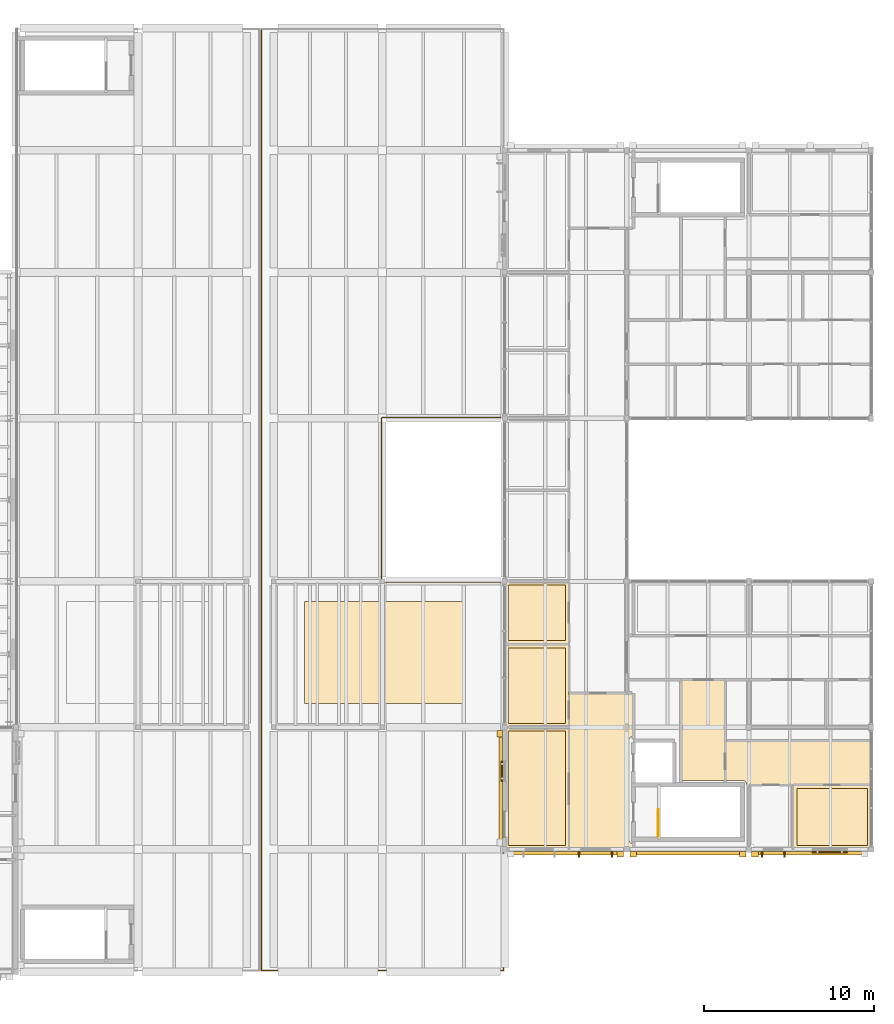
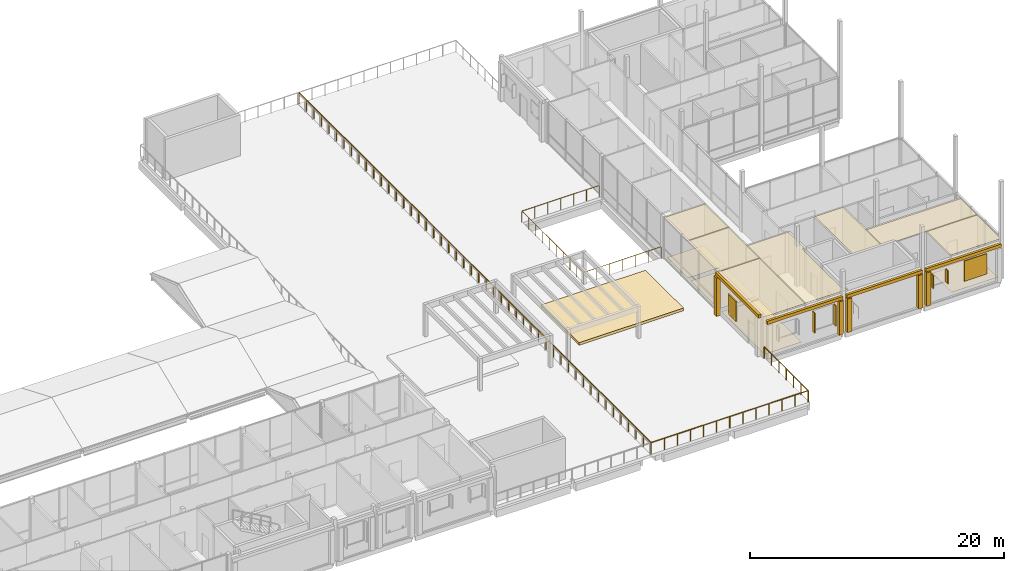
# One storey, part 114 of 115: 21 coverings, 6 shading devices, 3 railings.
"""IFC4 building model written with IfcOpenShell, lengths in metres."""

from ifc_helpers import new_model, si_unit, direction, frame, origin, origin_2d, place, context, subcontext, project, spatial, polyline, rectangle, circle, outline, extrude, material, layer, layer_set, type_object, element, save


model = new_model("IFC4")

# Units and contexts
model_context = context("Model", 3, precision=1e-05, world=origin(), true_north=direction((0.0, 1.0)))
body_context = subcontext(model_context, "Body", "Model", "MODEL_VIEW")
ifc_project = project(units=[si_unit("LENGTHUNIT", "METRE"), si_unit("AREAUNIT", "SQUARE_METRE"), si_unit("VOLUMEUNIT", "CUBIC_METRE"), si_unit("PLANEANGLEUNIT", "RADIAN"), si_unit("MASSUNIT", "GRAM", prefix="KILO")], contexts=[model_context])

# Site, building, storey
site_placement = place(None, origin())
site = spatial("IfcSite", under=ifc_project, at=site_placement, CompositionType="ELEMENT")
building_placement = place(site_placement, origin())
building = spatial("IfcBuilding", under=site, at=building_placement, Name="Hawrajan Terrace Health Centre", CompositionType="ELEMENT")
storey_placement = place(building_placement, frame((0.0, 0.0, 9.0)))
storey = spatial("IfcBuildingStorey", under=building, at=storey_placement, Name="L02", CompositionType="ELEMENT", Elevation=9.0)

# Coverings
ifc_material_1 = material(Name="Precast concrete C40/50", Category="concrete")
ifc_layer_1 = layer(ifc_material_1, 0.219970703125)
ifc_layer_set_1 = layer_set([ifc_layer_1], Name="Precast concrete C40/50")
covering_type_1 = type_object("IfcCoveringType", Name="ArtDecoCorniceBand", PredefinedType="CLADDING", material=ifc_layer_set_1)
covering_1_placement = place(storey_placement, frame((147.389892578125, 11.175048828125, 3.22998046875), z_axis=(0.0, 0.0, 1.0), x_axis=(1.0, 0.0, 0.0)))
element("IfcCovering", 1, at=covering_1_placement, inside=storey, type_object=covering_type_1, Name="Art Deco limestone cornice band CRN-L02-0146", PredefinedType="CLADDING", context=body_context, shape_type="SweptSolid", body=[
    extrude(rectangle(XDim=6.860107421875, YDim=0.219970703125, at=origin_2d()), origin(), (0.0, 0.0, 1.0), 0.300048828125),
])
covering_2_placement = place(storey_placement, frame((143.574951171875, 15.010009765625, 3.68994140625), z_axis=(0.0, 0.0, 1.0), x_axis=(0.0, 1.0, 0.0)))
element("IfcCovering", 2, at=covering_2_placement, inside=storey, type_object=covering_type_1, Name="Art Deco limestone cornice band CRN-L02-0147", PredefinedType="CLADDING", context=body_context, shape_type="SweptSolid", body=[
    extrude(rectangle(XDim=6.820068359375, YDim=0.219970703125, at=origin_2d()), origin(), (0.0, 0.0, 1.0), 0.300048828125),
])
for number, where, z_axis, x_axis, name in (
    (3, (154.610107421875, 11.175048828125, 3.22998046875), (0.0, 0.0, 1.0), (1.0, 0.0, 0.0), "Art Deco limestone cornice band CRN-L02-0150"),
    (4, (161.7900390625, 11.175048828125, 3.22998046875), (0.0, 0.0, 1.0), (1.0, 0.0, 0.0), "Art Deco limestone cornice band CRN-L02-0152"),
):
    element("IfcCovering", number, at=place(storey_placement, frame(where, z_axis=z_axis, x_axis=x_axis)), inside=storey, type_object=covering_type_1, Name=name, PredefinedType="CLADDING", context=body_context, shape_type="SweptSolid", body=[
        extrude(rectangle(XDim=6.860107421875, YDim=0.219970703125, at=origin_2d()), origin(), (0.0, 0.0, 1.0), 0.300048828125),
    ])
ifc_layer_2 = layer(ifc_material_1, 0.340087890625)
ifc_layer_set_2 = layer_set([ifc_layer_2], Name="Precast concrete C40/50")
covering_type_2 = type_object("IfcCoveringType", Name="ArtDecoStonePilaster", PredefinedType="CLADDING", material=ifc_layer_set_2)
covering_3_placement = place(storey_placement, frame((150.6201171875, 11.114990234375, 0.0), z_axis=(0.0, 0.0, 1.0), x_axis=(1.0, 0.0, 0.0)))
element("IfcCovering", 5, at=covering_3_placement, inside=storey, type_object=covering_type_2, Name="Art Deco fluted limestone pilaster FPIL-L02-0283", PredefinedType="CLADDING", context=body_context, shape_type="SweptSolid", body=[
    extrude(rectangle(XDim=0.39990234375, YDim=0.340087890625, at=origin_2d()), origin(), (0.0, 0.0, 1.0), 3.219970703125),
])
covering_4_placement = place(storey_placement, frame((143.514892578125, 18.219970703125, 0.0), z_axis=(0.0, 0.0, 1.0), x_axis=(0.0, 1.0, 0.0)))
element("IfcCovering", 6, at=covering_4_placement, inside=storey, type_object=covering_type_2, Name="Art Deco fluted limestone pilaster FPIL-L02-0285", PredefinedType="CLADDING", context=body_context, shape_type="SweptSolid", body=[
    extrude(rectangle(XDim=0.39990234375, YDim=0.340087890625, at=origin_2d()), origin(), (0.0, 0.0, 1.0), 3.679931640625),
])
for number, where, z_axis, x_axis, name in (
    (7, (151.3798828125, 11.114990234375, 0.0), (0.0, 0.0, 1.0), (1.0, 0.0, 0.0), "Art Deco fluted limestone pilaster FPIL-L02-0290"),
    (8, (157.840087890625, 11.114990234375, 0.0), (0.0, 0.0, 1.0), (1.0, 0.0, 0.0), "Art Deco fluted limestone pilaster FPIL-L02-0291"),
    (9, (158.56005859375, 11.114990234375, 0.0), (0.0, 0.0, 1.0), (1.0, 0.0, 0.0), "Art Deco fluted limestone pilaster FPIL-L02-0294"),
):
    element("IfcCovering", number, at=place(storey_placement, frame(where, z_axis=z_axis, x_axis=x_axis)), inside=storey, type_object=covering_type_2, Name=name, PredefinedType="CLADDING", context=body_context, shape_type="SweptSolid", body=[
        extrude(rectangle(XDim=0.39990234375, YDim=0.340087890625, at=origin_2d()), origin(), (0.0, 0.0, 1.0), 3.219970703125),
    ])
ifc_material_2 = material(Name="Hygienic mineral-fibre acoustic tile ceiling")
ifc_layer_3 = layer(ifc_material_2, 0.02490234375)
ifc_layer_set_3 = layer_set([ifc_layer_3], Name="Hygienic mineral-fibre acoustic tile ceiling")
covering_type_3 = type_object("IfcCoveringType", Name="ClinicalAcousticCeiling_25", PredefinedType="CEILING", material=ifc_layer_set_3)
covering_5_placement = place(storey_placement, frame((0.0, 0.0, 3.7548828125)))
element("IfcCovering", 10, at=covering_5_placement, inside=storey, type_object=covering_type_3, Name="Suspended ceiling L02-023", PredefinedType="CEILING", context=body_context, shape_type="SweptSolid", body=[
    extrude(outline(polyline([(151.3798828125, 11.419921875), (147.6201171875, 11.419921875), (147.6201171875, 20.580078125), (151.3798828125, 20.580078125), (151.3798828125, 18.069091796875), (151.37451171875, 18.06884765625), (151.37255859375, 18.068603515625), (151.348388671875, 18.06494140625), (151.346435546875, 18.064697265625), (151.322509765625, 18.05859375), (151.32080078125, 18.05810546875), (151.297607421875, 18.0498046875), (151.2958984375, 18.049072265625), (151.273681640625, 18.03857421875), (151.27197265625, 18.03759765625), (151.250732421875, 18.02490234375), (151.249267578125, 18.02392578125), (151.2294921875, 18.00927734375), (151.22802734375, 18.008056640625), (151.209716796875, 17.99169921875), (151.20849609375, 17.990234375), (151.19189453125, 17.971923828125), (151.190673828125, 17.970458984375), (151.176025390625, 17.95068359375), (151.175048828125, 17.94921875), (151.162353515625, 17.927978515625), (151.161376953125, 17.926513671875), (151.15087890625, 17.904296875), (151.150146484375, 17.90234375), (151.141845703125, 17.87939453125), (151.141357421875, 17.87744140625), (151.135498046875, 17.853515625), (151.135009765625, 17.851806640625), (151.13134765625, 17.827392578125), (151.131103515625, 17.825439453125), (151.1298828125, 17.801025390625), (151.1298828125, 17.800048828125), (151.1298828125, 12.0), (151.1298828125, 11.9990234375), (151.131103515625, 11.974609375), (151.13134765625, 11.97265625), (151.135009765625, 11.9482421875), (151.135498046875, 11.9462890625), (151.141357421875, 11.922607421875), (151.141845703125, 11.920654296875), (151.150146484375, 11.897705078125), (151.15087890625, 11.895751953125), (151.161376953125, 11.87353515625), (151.162353515625, 11.871826171875), (151.175048828125, 11.850830078125), (151.176025390625, 11.84912109375), (151.190673828125, 11.82958984375), (151.19189453125, 11.827880859375), (151.20849609375, 11.809814453125), (151.209716796875, 11.808349609375), (151.22802734375, 11.7919921875), (151.2294921875, 11.790771484375), (151.249267578125, 11.776123046875), (151.250732421875, 11.77490234375), (151.27197265625, 11.762451171875), (151.273681640625, 11.761474609375), (151.2958984375, 11.7509765625), (151.297607421875, 11.750244140625), (151.32080078125, 11.741943359375), (151.322509765625, 11.741455078125), (151.346435546875, 11.7353515625), (151.348388671875, 11.735107421875), (151.37255859375, 11.7314453125), (151.37451171875, 11.731201171875), (151.3798828125, 11.73095703125), (151.3798828125, 11.419921875)])), origin(), (0.0, 0.0, 1.0), 0.025146484375),
])
covering_6_placement = place(storey_placement, frame((0.0, 0.0, 3.7548828125)))
element("IfcCovering", 11, at=covering_6_placement, inside=storey, type_object=covering_type_3, Name="Suspended ceiling L02-033", PredefinedType="CEILING", context=body_context, shape_type="SweptSolid", body=[
    extrude(outline(polyline([(154.219970703125, 21.3798828125), (156.780029296875, 21.3798828125), (156.780029296875, 15.469970703125), (154.219970703125, 15.469970703125), (154.219970703125, 21.3798828125)])), origin(), (0.0, 0.0, 1.0), 0.025146484375),
])
covering_7_placement = place(storey_placement, frame((0.0, 0.0, 3.7548828125)))
element("IfcCovering", 12, at=covering_7_placement, inside=storey, type_object=covering_type_3, Name="Suspended ceiling L02-034", PredefinedType="CEILING", context=body_context, shape_type="SweptSolid", body=[
    extrude(outline(polyline([(156.820068359375, 17.780029296875), (165.3798828125, 17.780029296875), (165.3798828125, 15.219970703125), (158.069091796875, 15.219970703125), (158.06884765625, 15.2255859375), (158.068603515625, 15.227294921875), (158.06494140625, 15.251708984375), (158.064697265625, 15.253662109375), (158.05859375, 15.27734375), (158.05810546875, 15.279296875), (158.0498046875, 15.302490234375), (158.049072265625, 15.30419921875), (158.03857421875, 15.326416015625), (158.03759765625, 15.328125), (158.02490234375, 15.34912109375), (158.02392578125, 15.350830078125), (158.00927734375, 15.37060546875), (158.008056640625, 15.3720703125), (157.99169921875, 15.39013671875), (157.990234375, 15.3916015625), (157.971923828125, 15.408203125), (157.970458984375, 15.4091796875), (157.95068359375, 15.423828125), (157.94921875, 15.425048828125), (157.927978515625, 15.4375), (157.926513671875, 15.438720703125), (157.904296875, 15.448974609375), (157.90234375, 15.44970703125), (157.87939453125, 15.4580078125), (157.87744140625, 15.45849609375), (157.853515625, 15.464599609375), (157.851806640625, 15.465087890625), (157.827392578125, 15.468505859375), (157.825439453125, 15.46875), (157.801025390625, 15.469970703125), (157.800048828125, 15.469970703125), (156.820068359375, 15.469970703125), (156.820068359375, 17.780029296875)])), origin(), (0.0, 0.0, 1.0), 0.025146484375),
])
covering_8_placement = place(storey_placement, frame((0.0, 0.0, 3.7548828125)))
element("IfcCovering", 13, at=covering_8_placement, inside=storey, type_object=covering_type_3, Name="Suspended ceiling L02-122", PredefinedType="CEILING", context=body_context, shape_type="SweptSolid", body=[
    extrude(outline(polyline([(143.820068359375, 18.580078125), (147.580078125, 18.580078125), (147.580078125, 11.419921875), (143.820068359375, 11.419921875), (143.820068359375, 18.580078125)])), origin(), (0.0, 0.0, 1.0), 0.025146484375),
])
covering_9_placement = place(storey_placement, frame((0.0, 0.0, 3.7548828125)))
element("IfcCovering", 14, at=covering_9_placement, inside=storey, type_object=covering_type_3, Name="Suspended ceiling L02-123", PredefinedType="CEILING", context=body_context, shape_type="SweptSolid", body=[
    extrude(outline(polyline([(143.820068359375, 23.46484375), (147.580078125, 23.46484375), (147.580078125, 18.6201171875), (143.820068359375, 18.6201171875), (143.820068359375, 23.46484375)])), origin(), (0.0, 0.0, 1.0), 0.025146484375),
])
covering_10_placement = place(storey_placement, frame((0.0, 0.0, 3.7548828125)))
element("IfcCovering", 15, at=covering_10_placement, inside=storey, type_object=covering_type_3, Name="Suspended ceiling L02-124", PredefinedType="CEILING", context=body_context, shape_type="SweptSolid", body=[
    extrude(outline(polyline([(143.820068359375, 27.179931640625), (147.580078125, 27.179931640625), (147.580078125, 23.5048828125), (143.820068359375, 23.5048828125), (143.820068359375, 27.179931640625)])), origin(), (0.0, 0.0, 1.0), 0.025146484375),
])
covering_11_placement = place(storey_placement, frame((0.0, 0.0, 3.7548828125)))
element("IfcCovering", 16, at=covering_11_placement, inside=storey, type_object=covering_type_3, Name="Suspended ceiling L02-133", PredefinedType="CEILING", context=body_context, shape_type="SweptSolid", body=[
    extrude(outline(polyline([(160.820068359375, 15.179931640625), (165.3798828125, 15.179931640625), (165.3798828125, 11.419921875), (160.820068359375, 11.419921875), (160.820068359375, 15.179931640625)])), origin(), (0.0, 0.0, 1.0), 0.025146484375),
])
ifc_material_3 = material(Name="Seamless medical-grade cushioned vinyl flooring")
ifc_layer_4 = layer(ifc_material_3, 0.011962890625)
ifc_layer_set_4 = layer_set([ifc_layer_4], Name="Seamless medical-grade cushioned vinyl flooring")
covering_type_4 = type_object("IfcCoveringType", Name="ClinicalVinylFlooring_12", PredefinedType="FLOORING", material=ifc_layer_set_4)
covering_12_placement = place(storey_placement, origin())
element("IfcCovering", 17, at=covering_12_placement, inside=storey, type_object=covering_type_4, Name="Floor finish L02-122", PredefinedType="FLOORING", context=body_context, shape_type="SweptSolid", body=[
    extrude(outline(polyline([(144.02001953125, 18.3798828125), (147.3798828125, 18.3798828125), (147.3798828125, 11.6201171875), (144.02001953125, 11.6201171875), (144.02001953125, 18.3798828125)])), origin(), (0.0, 0.0, 1.0), 0.011962890625),
])
covering_13_placement = place(storey_placement, origin())
element("IfcCovering", 18, at=covering_13_placement, inside=storey, type_object=covering_type_4, Name="Floor finish L02-123", PredefinedType="FLOORING", context=body_context, shape_type="SweptSolid", body=[
    extrude(outline(polyline([(144.02001953125, 23.264892578125), (147.3798828125, 23.264892578125), (147.3798828125, 18.820068359375), (144.02001953125, 18.820068359375), (144.02001953125, 23.264892578125)])), origin(), (0.0, 0.0, 1.0), 0.011962890625),
])
covering_14_placement = place(storey_placement, origin())
element("IfcCovering", 19, at=covering_14_placement, inside=storey, type_object=covering_type_4, Name="Floor finish L02-124", PredefinedType="FLOORING", context=body_context, shape_type="SweptSolid", body=[
    extrude(outline(polyline([(144.02001953125, 26.97998046875), (147.3798828125, 26.97998046875), (147.3798828125, 23.704833984375), (144.02001953125, 23.704833984375), (144.02001953125, 26.97998046875)])), origin(), (0.0, 0.0, 1.0), 0.011962890625),
])
covering_15_placement = place(storey_placement, origin())
element("IfcCovering", 20, at=covering_15_placement, inside=storey, type_object=covering_type_4, Name="Floor finish L02-133", PredefinedType="FLOORING", context=body_context, shape_type="SweptSolid", body=[
    extrude(outline(polyline([(161.02001953125, 14.97998046875), (165.179931640625, 14.97998046875), (165.179931640625, 11.6201171875), (161.02001953125, 11.6201171875), (161.02001953125, 14.97998046875)])), origin(), (0.0, 0.0, 1.0), 0.011962890625),
])

# Shading devices
ifc_material_4 = material(Name="Anodized bronze mashrabiya vertical solar fin")
ifc_layer_5 = layer(ifc_material_4, 0.080078125)
ifc_layer_set_5 = layer_set([ifc_layer_5], Name="Anodized bronze mashrabiya vertical solar fin")
shading_device_type_1 = type_object("IfcShadingDeviceType", Name="MashrabiyaVerticalFin", PredefinedType="USERDEFINED", material=ifc_layer_set_5)
for number, where, z_axis, x_axis, name in (
    (21, (148.18994140625, 11.10498046875, 1.0), (0.0, 0.0, 1.0), (1.0, 0.0, 0.0), "Bronze mashrabiya solar fin FIN-L02-0193"),
    (22, (150.1298828125, 11.10498046875, 1.0), (0.0, 0.0, 1.0), (1.0, 0.0, 0.0), "Bronze mashrabiya solar fin FIN-L02-0194"),
):
    element("IfcShadingDevice", number, at=place(storey_placement, frame(where, z_axis=z_axis, x_axis=x_axis)), inside=storey, type_object=shading_device_type_1, Name=name, ObjectType="SOLAR_FIN", PredefinedType="USERDEFINED", context=body_context, shape_type="SweptSolid", body=[
        extrude(rectangle(XDim=0.080078125, YDim=0.360107421875, at=origin_2d()), origin(), (0.0, 0.0, 1.0), 1.949951171875),
    ])
for number, where, z_axis, x_axis, name in (
    (23, (158.965087890625, 11.10498046875, 1.5), (0.0, 0.0, 1.0), (1.0, 0.0, 0.0), "Bronze mashrabiya solar fin FIN-L02-0199"),
    (24, (160.294921875, 11.10498046875, 1.5), (0.0, 0.0, 1.0), (1.0, 0.0, 0.0), "Bronze mashrabiya solar fin FIN-L02-0200"),
):
    element("IfcShadingDevice", number, at=place(storey_placement, frame(where, z_axis=z_axis, x_axis=x_axis)), inside=storey, type_object=shading_device_type_1, Name=name, ObjectType="SOLAR_FIN", PredefinedType="USERDEFINED", context=body_context, shape_type="SweptSolid", body=[
        extrude(rectangle(XDim=0.080078125, YDim=0.360107421875, at=origin_2d()), origin(), (0.0, 0.0, 1.0), 1.25),
    ])

# Covering
ifc_material_5 = material(Name="Extensive planted terrace drainage and engineered soil")
ifc_layer_6 = layer(ifc_material_5, 0.260009765625)
ifc_layer_set_6 = layer_set([ifc_layer_6], Name="Extensive planted terrace drainage and engineered soil")
covering_type_5 = type_object("IfcCoveringType", Name="PlantedGarden_Substrate", PredefinedType="ROOFING", material=ifc_layer_set_6)
covering_16_placement = place(storey_placement, origin())
element("IfcCovering", 25, at=covering_16_placement, inside=storey, type_object=covering_type_5, Name="Planted therapy bed E-1", PredefinedType="ROOFING", context=body_context, shape_type="SweptSolid", body=[
    extrude(outline(polyline([(132.0, 20.0), (141.5, 20.0), (141.5, 26.0), (132.0, 26.0), (132.0, 20.0)])), origin(), (0.0, 0.0, 1.0), 0.260009765625),
])

# Shading devices
ifc_material_6 = material(Name="Anodized bronze and cedar roshan lattice")
ifc_layer_7 = layer(ifc_material_6, 0.080078125)
ifc_layer_set_7 = layer_set([ifc_layer_7], Name="Anodized bronze and cedar roshan lattice")
shading_device_type_2 = type_object("IfcShadingDeviceType", Name="RoshanScreen_BronzeCedar", PredefinedType="JALOUSIE", material=ifc_layer_set_7)
shading_device_1_placement = place(storey_placement, frame((143.639892578125, 16.0048828125, 1.0), z_axis=(0.0, 0.0, 1.0), x_axis=(0.0, 1.0, 0.0)))
element("IfcShadingDevice", 26, at=shading_device_1_placement, inside=storey, type_object=shading_device_type_2, Name="Hijazi roshan solar screen RSH-L02-195", PredefinedType="JALOUSIE", context=body_context, shape_type="SweptSolid", body=[
    extrude(rectangle(XDim=1.199951171875, YDim=0.080078125, at=origin_2d()), origin(), (0.0, 0.0, 1.0), 1.949951171875),
])
shading_device_2_placement = place(storey_placement, frame((162.9599609375, 11.239990234375, 1.0), z_axis=(0.0, 0.0, 1.0), x_axis=(1.0, 0.0, 0.0)))
element("IfcShadingDevice", 27, at=shading_device_2_placement, inside=storey, type_object=shading_device_type_2, Name="Hijazi roshan solar screen RSH-L02-201", PredefinedType="JALOUSIE", context=body_context, shape_type="SweptSolid", body=[
    extrude(rectangle(XDim=2.050048828125, YDim=0.080078125, at=origin_2d()), origin(), (0.0, 0.0, 1.0), 1.949951171875),
])

# Railings
ifc_material_7 = material(Name="Painted steel stair well guard", Category="steel")
railing_type_1 = type_object("IfcRailingType", Name="StairWellGuard_1120", PredefinedType="GUARDRAIL", material=ifc_material_7)
railing_1_placement = place(storey_placement, frame((152.860107421875, 12.179931640625, 0.0)))
element("IfcRailing", 28, at=railing_1_placement, inside=storey, type_object=railing_type_1, Name="Stair top well guard ST-8", PredefinedType="GUARDRAIL", context=body_context, shape_type="SweptSolid", body=[
    extrude(circle(Radius=0.02392578125, at=origin_2d()), frame((0.0, 0.02880859375, 1.09619140625), z_axis=(0.0, 1.0, 0.0), x_axis=(-1.0, 0.0, 0.0)), (0.0, 0.0, 1.0), 1.50244140625),
    extrude(circle(Radius=0.02099609375, at=origin_2d()), origin(), (0.0, 0.0, 1.0), 1.067138671875),
    extrude(circle(Radius=0.02099609375, at=origin_2d()), frame((0.0, 0.780029296875, 0.0)), (0.0, 0.0, 1.0), 1.067138671875),
    extrude(circle(Radius=0.02099609375, at=origin_2d()), frame((0.0, 1.56005859375, 0.0)), (0.0, 0.0, 1.0), 1.067138671875),
])
ifc_material_8 = material(Name="Anodized bronze post and balustrade guard")
railing_type_2 = type_object("IfcRailingType", Name="TerraceGuard_1120", PredefinedType="GUARDRAIL", material=ifc_material_8)
railing_2_placement = place(storey_placement, frame((143.580078125, 36.860107421875, 0.0)))
element("IfcRailing", 29, at=railing_2_placement, inside=storey, type_object=railing_type_2, Name="Terrace perimeter guard L02-005", PredefinedType="GUARDRAIL", context=body_context, shape_type="SweptSolid", body=[
    extrude(circle(Radius=0.02392578125, at=origin_2d()), frame((-0.02880859375, 0.0, 1.09619140625), z_axis=(-1.0, 0.0, 0.0), x_axis=(0.0, -1.0, 0.0)), (0.0, 0.0, 1.0), 6.982421875),
    extrude(circle(Radius=0.02392578125, at=origin_2d()), frame((-7.0400390625, -0.02880859375, 1.09619140625), z_axis=(0.0, -1.0, 0.0), x_axis=(1.0, 0.0, 0.0)), (0.0, 0.0, 1.0), 9.66259765625),
    extrude(circle(Radius=0.02392578125, at=origin_2d()), frame((-7.01123046875, -9.72021484375, 1.09619140625), z_axis=(1.0, 0.0, 0.0), x_axis=(0.0, 1.0, 0.0)), (0.0, 0.0, 1.0), 6.982421875),
    extrude(circle(Radius=0.02099609375, at=origin_2d()), origin(), (0.0, 0.0, 1.0), 1.067138671875),
    extrude(circle(Radius=0.02099609375, at=origin_2d()), frame((-1.17333984375, 0.0, 0.0)), (0.0, 0.0, 1.0), 1.067138671875),
    extrude(circle(Radius=0.02099609375, at=origin_2d()), frame((-2.3466796875, 0.0, 0.0)), (0.0, 0.0, 1.0), 1.067138671875),
    extrude(circle(Radius=0.02099609375, at=origin_2d()), frame((-3.52001953125, 0.0, 0.0)), (0.0, 0.0, 1.0), 1.067138671875),
    extrude(circle(Radius=0.02099609375, at=origin_2d()), frame((-4.693359375, 0.0, 0.0)), (0.0, 0.0, 1.0), 1.067138671875),
    extrude(circle(Radius=0.02099609375, at=origin_2d()), frame((-5.86669921875, 0.0, 0.0)), (0.0, 0.0, 1.0), 1.067138671875),
    extrude(circle(Radius=0.02099609375, at=origin_2d()), frame((-7.0400390625, 0.0, 0.0)), (0.0, 0.0, 1.0), 1.067138671875),
    extrude(circle(Radius=0.02099609375, at=origin_2d()), frame((-7.0400390625, -1.080078125, 0.0)), (0.0, 0.0, 1.0), 1.067138671875),
    extrude(circle(Radius=0.02099609375, at=origin_2d()), frame((-7.0400390625, -2.16015625, 0.0)), (0.0, 0.0, 1.0), 1.067138671875),
    extrude(circle(Radius=0.02099609375, at=origin_2d()), frame((-7.0400390625, -3.239990234375, 0.0)), (0.0, 0.0, 1.0), 1.067138671875),
    extrude(circle(Radius=0.02099609375, at=origin_2d()), frame((-7.0400390625, -4.320068359375, 0.0)), (0.0, 0.0, 1.0), 1.067138671875),
    extrude(circle(Radius=0.02099609375, at=origin_2d()), frame((-7.0400390625, -5.400146484375, 0.0)), (0.0, 0.0, 1.0), 1.067138671875),
    extrude(circle(Radius=0.02099609375, at=origin_2d()), frame((-7.0400390625, -6.480224609375, 0.0)), (0.0, 0.0, 1.0), 1.067138671875),
    extrude(circle(Radius=0.02099609375, at=origin_2d()), frame((-7.0400390625, -7.56005859375, 0.0)), (0.0, 0.0, 1.0), 1.067138671875),
    extrude(circle(Radius=0.02099609375, at=origin_2d()), frame((-7.0400390625, -8.64013671875, 0.0)), (0.0, 0.0, 1.0), 1.067138671875),
    extrude(circle(Radius=0.02099609375, at=origin_2d()), frame((-7.0400390625, -9.72021484375, 0.0)), (0.0, 0.0, 1.0), 1.067138671875),
    extrude(circle(Radius=0.02099609375, at=origin_2d()), frame((-5.86669921875, -9.72021484375, 0.0)), (0.0, 0.0, 1.0), 1.067138671875),
    extrude(circle(Radius=0.02099609375, at=origin_2d()), frame((-4.693359375, -9.72021484375, 0.0)), (0.0, 0.0, 1.0), 1.067138671875),
    extrude(circle(Radius=0.02099609375, at=origin_2d()), frame((-3.52001953125, -9.72021484375, 0.0)), (0.0, 0.0, 1.0), 1.067138671875),
    extrude(circle(Radius=0.02099609375, at=origin_2d()), frame((-2.3466796875, -9.72021484375, 0.0)), (0.0, 0.0, 1.0), 1.067138671875),
    extrude(circle(Radius=0.02099609375, at=origin_2d()), frame((-1.17333984375, -9.72021484375, 0.0)), (0.0, 0.0, 1.0), 1.067138671875),
    extrude(circle(Radius=0.02099609375, at=origin_2d()), frame((0.0, -9.72021484375, 0.0)), (0.0, 0.0, 1.0), 1.067138671875),
])
railing_3_placement = place(storey_placement, frame((143.739990234375, 11.1884765625, 0.0)))
element("IfcRailing", 30, at=railing_3_placement, inside=storey, type_object=railing_type_2, Name="Terrace perimeter guard L02-006", PredefinedType="GUARDRAIL", context=body_context, shape_type="SweptSolid", body=[
    extrude(circle(Radius=0.02392578125, at=origin_2d()), frame((0.0, -0.02880859375, 1.09619140625), z_axis=(0.0, -1.0, 0.0), x_axis=(1.0, 0.0, 0.0)), (0.0, 0.0, 1.0), 6.870849609375),
    extrude(circle(Radius=0.02392578125, at=origin_2d()), frame((-0.02880859375, -6.928466796875, 1.09619140625), z_axis=(-1.0, 0.0, 0.0), x_axis=(0.0, -1.0, 0.0)), (0.0, 0.0, 1.0), 14.21728515625),
    extrude(circle(Radius=0.02392578125, at=origin_2d()), frame((-14.27490234375, -6.899658203125, 1.09619140625), z_axis=(0.0, 1.0, 0.0), x_axis=(-1.0, 0.0, 0.0)), (0.0, 0.0, 1.0), 55.42236328125),
    extrude(circle(Radius=0.02099609375, at=origin_2d()), origin(), (0.0, 0.0, 1.0), 1.067138671875),
    extrude(circle(Radius=0.02099609375, at=origin_2d()), frame((0.0, -1.15478515625, 0.0)), (0.0, 0.0, 1.0), 1.067138671875),
    extrude(circle(Radius=0.02099609375, at=origin_2d()), frame((0.0, -2.3095703125, 0.0)), (0.0, 0.0, 1.0), 1.067138671875),
    extrude(circle(Radius=0.02099609375, at=origin_2d()), frame((0.0, -3.46435546875, 0.0)), (0.0, 0.0, 1.0), 1.067138671875),
    extrude(circle(Radius=0.02099609375, at=origin_2d()), frame((0.0, -4.618896484375, 0.0)), (0.0, 0.0, 1.0), 1.067138671875),
    extrude(circle(Radius=0.02099609375, at=origin_2d()), frame((0.0, -5.773681640625, 0.0)), (0.0, 0.0, 1.0), 1.067138671875),
    extrude(circle(Radius=0.02099609375, at=origin_2d()), frame((0.0, -6.928466796875, 0.0)), (0.0, 0.0, 1.0), 1.067138671875),
    extrude(circle(Radius=0.02099609375, at=origin_2d()), frame((-1.189453125, -6.928466796875, 0.0)), (0.0, 0.0, 1.0), 1.067138671875),
    extrude(circle(Radius=0.02099609375, at=origin_2d()), frame((-2.379150390625, -6.928466796875, 0.0)), (0.0, 0.0, 1.0), 1.067138671875),
    extrude(circle(Radius=0.02099609375, at=origin_2d()), frame((-3.56884765625, -6.928466796875, 0.0)), (0.0, 0.0, 1.0), 1.067138671875),
    extrude(circle(Radius=0.02099609375, at=origin_2d()), frame((-4.75830078125, -6.928466796875, 0.0)), (0.0, 0.0, 1.0), 1.067138671875),
    extrude(circle(Radius=0.02099609375, at=origin_2d()), frame((-5.94775390625, -6.928466796875, 0.0)), (0.0, 0.0, 1.0), 1.067138671875),
    extrude(circle(Radius=0.02099609375, at=origin_2d()), frame((-7.137451171875, -6.928466796875, 0.0)), (0.0, 0.0, 1.0), 1.067138671875),
    extrude(circle(Radius=0.02099609375, at=origin_2d()), frame((-8.3271484375, -6.928466796875, 0.0)), (0.0, 0.0, 1.0), 1.067138671875),
    extrude(circle(Radius=0.02099609375, at=origin_2d()), frame((-9.5166015625, -6.928466796875, 0.0)), (0.0, 0.0, 1.0), 1.067138671875),
    extrude(circle(Radius=0.02099609375, at=origin_2d()), frame((-10.7060546875, -6.928466796875, 0.0)), (0.0, 0.0, 1.0), 1.067138671875),
    extrude(circle(Radius=0.02099609375, at=origin_2d()), frame((-11.895751953125, -6.928466796875, 0.0)), (0.0, 0.0, 1.0), 1.067138671875),
    extrude(circle(Radius=0.02099609375, at=origin_2d()), frame((-13.08544921875, -6.928466796875, 0.0)), (0.0, 0.0, 1.0), 1.067138671875),
    extrude(circle(Radius=0.02099609375, at=origin_2d()), frame((-14.27490234375, -6.928466796875, 0.0)), (0.0, 0.0, 1.0), 1.067138671875),
    extrude(circle(Radius=0.02099609375, at=origin_2d()), frame((-14.27490234375, -5.748046875, 0.0)), (0.0, 0.0, 1.0), 1.067138671875),
    extrude(circle(Radius=0.02099609375, at=origin_2d()), frame((-14.27490234375, -4.567626953125, 0.0)), (0.0, 0.0, 1.0), 1.067138671875),
    extrude(circle(Radius=0.02099609375, at=origin_2d()), frame((-14.27490234375, -3.38720703125, 0.0)), (0.0, 0.0, 1.0), 1.067138671875),
    extrude(circle(Radius=0.02099609375, at=origin_2d()), frame((-14.27490234375, -2.206787109375, 0.0)), (0.0, 0.0, 1.0), 1.067138671875),
    extrude(circle(Radius=0.02099609375, at=origin_2d()), frame((-14.27490234375, -1.0263671875, 0.0)), (0.0, 0.0, 1.0), 1.067138671875),
    extrude(circle(Radius=0.02099609375, at=origin_2d()), frame((-14.27490234375, 0.154052734375, 0.0)), (0.0, 0.0, 1.0), 1.067138671875),
    extrude(circle(Radius=0.02099609375, at=origin_2d()), frame((-14.27490234375, 1.33447265625, 0.0)), (0.0, 0.0, 1.0), 1.067138671875),
    extrude(circle(Radius=0.02099609375, at=origin_2d()), frame((-14.27490234375, 2.514892578125, 0.0)), (0.0, 0.0, 1.0), 1.067138671875),
    extrude(circle(Radius=0.02099609375, at=origin_2d()), frame((-14.27490234375, 3.6953125, 0.0)), (0.0, 0.0, 1.0), 1.067138671875),
    extrude(circle(Radius=0.02099609375, at=origin_2d()), frame((-14.27490234375, 4.875732421875, 0.0)), (0.0, 0.0, 1.0), 1.067138671875),
    extrude(circle(Radius=0.02099609375, at=origin_2d()), frame((-14.27490234375, 6.05615234375, 0.0)), (0.0, 0.0, 1.0), 1.067138671875),
    extrude(circle(Radius=0.02099609375, at=origin_2d()), frame((-14.27490234375, 7.236572265625, 0.0)), (0.0, 0.0, 1.0), 1.067138671875),
    extrude(circle(Radius=0.02099609375, at=origin_2d()), frame((-14.27490234375, 8.4169921875, 0.0)), (0.0, 0.0, 1.0), 1.067138671875),
    extrude(circle(Radius=0.02099609375, at=origin_2d()), frame((-14.27490234375, 9.597412109375, 0.0)), (0.0, 0.0, 1.0), 1.067138671875),
    extrude(circle(Radius=0.02099609375, at=origin_2d()), frame((-14.27490234375, 10.77783203125, 0.0)), (0.0, 0.0, 1.0), 1.067138671875),
    extrude(circle(Radius=0.02099609375, at=origin_2d()), frame((-14.27490234375, 11.958251953125, 0.0)), (0.0, 0.0, 1.0), 1.067138671875),
    extrude(circle(Radius=0.02099609375, at=origin_2d()), frame((-14.27490234375, 13.138671875, 0.0)), (0.0, 0.0, 1.0), 1.067138671875),
    extrude(circle(Radius=0.02099609375, at=origin_2d()), frame((-14.27490234375, 14.319091796875, 0.0)), (0.0, 0.0, 1.0), 1.067138671875),
    extrude(circle(Radius=0.02099609375, at=origin_2d()), frame((-14.27490234375, 15.49951171875, 0.0)), (0.0, 0.0, 1.0), 1.067138671875),
    extrude(circle(Radius=0.02099609375, at=origin_2d()), frame((-14.27490234375, 16.679931640625, 0.0)), (0.0, 0.0, 1.0), 1.067138671875),
    extrude(circle(Radius=0.02099609375, at=origin_2d()), frame((-14.27490234375, 17.8603515625, 0.0)), (0.0, 0.0, 1.0), 1.067138671875),
    extrude(circle(Radius=0.02099609375, at=origin_2d()), frame((-14.27490234375, 19.040771484375, 0.0)), (0.0, 0.0, 1.0), 1.067138671875),
    extrude(circle(Radius=0.02099609375, at=origin_2d()), frame((-14.27490234375, 20.22119140625, 0.0)), (0.0, 0.0, 1.0), 1.067138671875),
    extrude(circle(Radius=0.02099609375, at=origin_2d()), frame((-14.27490234375, 21.40185546875, 0.0)), (0.0, 0.0, 1.0), 1.067138671875),
    extrude(circle(Radius=0.02099609375, at=origin_2d()), frame((-14.27490234375, 22.582275390625, 0.0)), (0.0, 0.0, 1.0), 1.067138671875),
    extrude(circle(Radius=0.02099609375, at=origin_2d()), frame((-14.27490234375, 23.7626953125, 0.0)), (0.0, 0.0, 1.0), 1.067138671875),
    extrude(circle(Radius=0.02099609375, at=origin_2d()), frame((-14.27490234375, 24.943115234375, 0.0)), (0.0, 0.0, 1.0), 1.067138671875),
    extrude(circle(Radius=0.02099609375, at=origin_2d()), frame((-14.27490234375, 26.12353515625, 0.0)), (0.0, 0.0, 1.0), 1.067138671875),
    extrude(circle(Radius=0.02099609375, at=origin_2d()), frame((-14.27490234375, 27.303955078125, 0.0)), (0.0, 0.0, 1.0), 1.067138671875),
    extrude(circle(Radius=0.02099609375, at=origin_2d()), frame((-14.27490234375, 28.484375, 0.0)), (0.0, 0.0, 1.0), 1.067138671875),
    extrude(circle(Radius=0.02099609375, at=origin_2d()), frame((-14.27490234375, 29.664794921875, 0.0)), (0.0, 0.0, 1.0), 1.067138671875),
    extrude(circle(Radius=0.02099609375, at=origin_2d()), frame((-14.27490234375, 30.84521484375, 0.0)), (0.0, 0.0, 1.0), 1.067138671875),
    extrude(circle(Radius=0.02099609375, at=origin_2d()), frame((-14.27490234375, 32.025634765625, 0.0)), (0.0, 0.0, 1.0), 1.067138671875),
    extrude(circle(Radius=0.02099609375, at=origin_2d()), frame((-14.27490234375, 33.2060546875, 0.0)), (0.0, 0.0, 1.0), 1.067138671875),
    extrude(circle(Radius=0.02099609375, at=origin_2d()), frame((-14.27490234375, 34.386474609375, 0.0)), (0.0, 0.0, 1.0), 1.067138671875),
    extrude(circle(Radius=0.02099609375, at=origin_2d()), frame((-14.27490234375, 35.56689453125, 0.0)), (0.0, 0.0, 1.0), 1.067138671875),
    extrude(circle(Radius=0.02099609375, at=origin_2d()), frame((-14.27490234375, 36.747314453125, 0.0)), (0.0, 0.0, 1.0), 1.067138671875),
    extrude(circle(Radius=0.02099609375, at=origin_2d()), frame((-14.27490234375, 37.927734375, 0.0)), (0.0, 0.0, 1.0), 1.067138671875),
    extrude(circle(Radius=0.02099609375, at=origin_2d()), frame((-14.27490234375, 39.108154296875, 0.0)), (0.0, 0.0, 1.0), 1.067138671875),
    extrude(circle(Radius=0.02099609375, at=origin_2d()), frame((-14.27490234375, 40.28857421875, 0.0)), (0.0, 0.0, 1.0), 1.067138671875),
    extrude(circle(Radius=0.02099609375, at=origin_2d()), frame((-14.27490234375, 41.468994140625, 0.0)), (0.0, 0.0, 1.0), 1.067138671875),
    extrude(circle(Radius=0.02099609375, at=origin_2d()), frame((-14.27490234375, 42.6494140625, 0.0)), (0.0, 0.0, 1.0), 1.067138671875),
    extrude(circle(Radius=0.02099609375, at=origin_2d()), frame((-14.27490234375, 43.829833984375, 0.0)), (0.0, 0.0, 1.0), 1.067138671875),
    extrude(circle(Radius=0.02099609375, at=origin_2d()), frame((-14.27490234375, 45.01025390625, 0.0)), (0.0, 0.0, 1.0), 1.067138671875),
    extrude(circle(Radius=0.02099609375, at=origin_2d()), frame((-14.27490234375, 46.190673828125, 0.0)), (0.0, 0.0, 1.0), 1.067138671875),
    extrude(circle(Radius=0.02099609375, at=origin_2d()), frame((-14.27490234375, 47.37109375, 0.0)), (0.0, 0.0, 1.0), 1.067138671875),
    extrude(circle(Radius=0.02099609375, at=origin_2d()), frame((-14.27490234375, 48.551513671875, 0.0)), (0.0, 0.0, 1.0), 1.067138671875),
])

save(model, "model.ifc")
